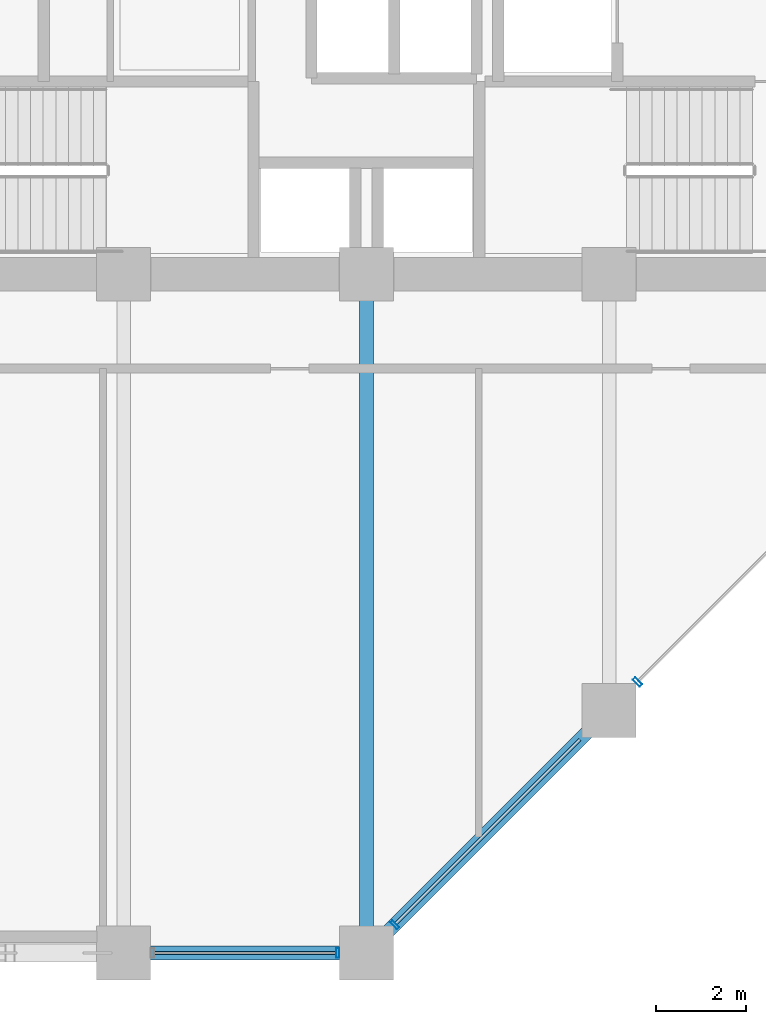
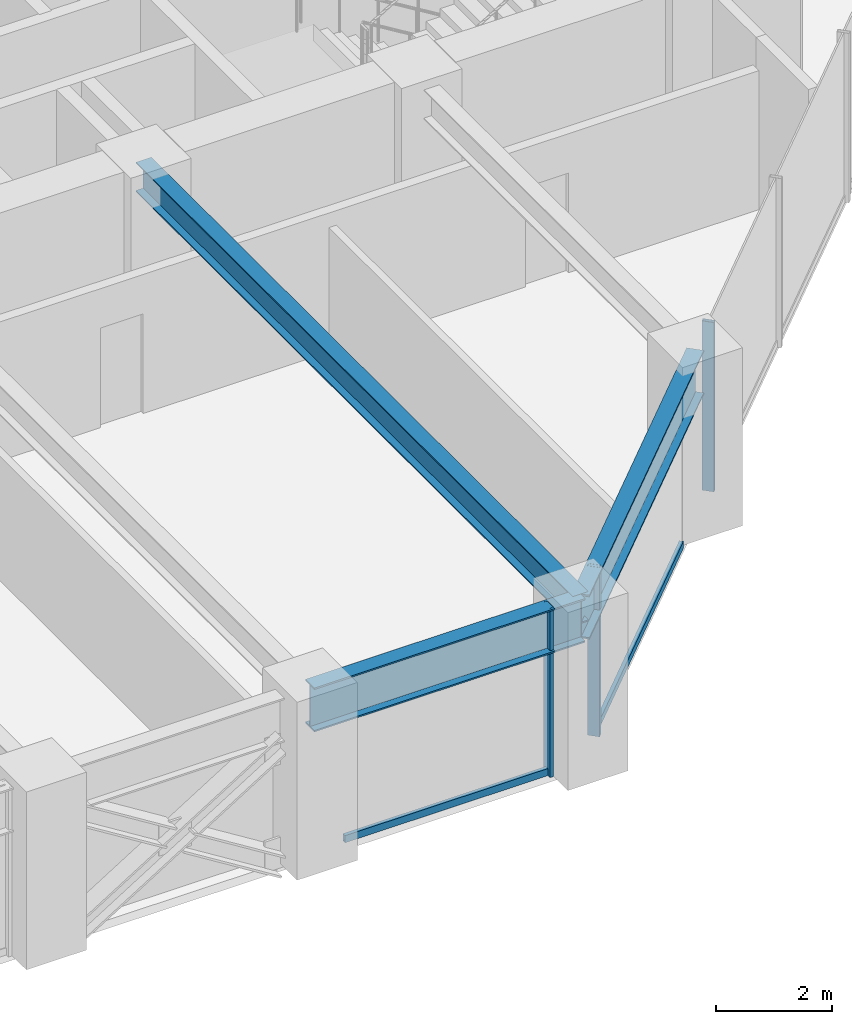
# One storey, part 6 of 26: 5 members, 3 beams, 2 elements without a shape of their own.
"""IFC4 building model written with IfcOpenShell, lengths in metres."""

from ifc_helpers import new_model, si_unit, direction, frame, origin, origin_2d, place, context, subcontext, project, spatial, hollow_rectangle, i_section, extrude, material, layer, layer_set, material_profile, profile_set, type_object, element, aggregate, save


model = new_model("IFC4")

# Units and contexts
model_context = context("Model", 3, precision=1e-05, world=origin(), true_north=direction((0.0, 1.0)))
body_context = subcontext(model_context, "Body", "Model", "MODEL_VIEW")
ifc_project = project(units=[si_unit("LENGTHUNIT", "METRE"), si_unit("AREAUNIT", "SQUARE_METRE"), si_unit("VOLUMEUNIT", "CUBIC_METRE"), si_unit("PLANEANGLEUNIT", "RADIAN"), si_unit("MASSUNIT", "GRAM", prefix="KILO")], contexts=[model_context])

# Site, building, storey
site_placement = place(None, origin())
site = spatial("IfcSite", under=ifc_project, at=site_placement, CompositionType="ELEMENT")
building_placement = place(site_placement, origin())
building = spatial("IfcBuilding", under=site, at=building_placement, Name="Surkhivell Harbour Commons", CompositionType="ELEMENT")
storey_placement = place(building_placement, frame((0.0, 0.0, 71.25)))
storey = spatial("IfcBuildingStorey", under=building, at=storey_placement, Name="L18", CompositionType="ELEMENT", Elevation=71.25)

# Beams
ifc_material_1 = material(Name="Steel S355", Category="steel")
ifc_material_profile_1 = material_profile(ifc_material_1, i_section(OverallWidth=0.306884765625, OverallDepth=0.6201171875, WebThickness=0.01416015625, FlangeThickness=0.023681640625, at=origin_2d()), Name="UB610x305x179")
ifc_profile_set_1 = profile_set([ifc_material_profile_1], Name="Steel S355")
beam_type_1 = type_object("IfcBeamType", Name="BM-GRD-610A", PredefinedType="BEAM", material=ifc_profile_set_1)
beam_1_placement = place(storey_placement, frame((0.0, -25.89990234375, 3.260009765625), z_axis=(0.0, 1.0, 0.0), x_axis=(-1.0, 0.0, 0.0)))
element("IfcBeam", 1, at=beam_1_placement, inside=storey, type_object=beam_type_1, Name="L18 Floor Girder (0.0,-25.9)", PredefinedType="BEAM", context=body_context, shape_type="SweptSolid", body=[
    extrude(i_section(OverallWidth=0.306884765625, OverallDepth=0.6201171875, WebThickness=0.01416015625, FlangeThickness=0.023681640625, at=origin_2d()), origin(), (0.0, 0.0, 1.0), 15.099853515625),
])
ifc_material_2 = material(Name="Steel S460", Category="steel")
ifc_material_profile_2 = material_profile(ifc_material_2, i_section(OverallWidth=0.30810546875, OverallDepth=0.927001953125, WebThickness=0.01953125, FlangeThickness=0.031982421875, at=origin_2d()), Name="UB914x305x289")
ifc_profile_set_2 = profile_set([ifc_material_profile_2], Name="Steel S460")
beam_type_2 = type_object("IfcBeamType", Name="BM-SPN-914B", PredefinedType="SPANDREL", material=ifc_profile_set_2)
beam_2_placement = place(storey_placement, frame((-5.39990234375, -25.89990234375, 3.1064453125), z_axis=(1.0, 0.0, 0.0), x_axis=(0.0, 1.0, 0.0)))
element("IfcBeam", 2, at=beam_2_placement, inside=storey, type_object=beam_type_2, Name="L18 Tube Spandrel (-5.4,-25.9)", PredefinedType="SPANDREL", context=body_context, shape_type="SweptSolid", body=[
    extrude(i_section(OverallWidth=0.30810546875, OverallDepth=0.927001953125, WebThickness=0.01953125, FlangeThickness=0.031982421875, at=origin_2d()), origin(), (0.0, 0.0, 1.0), 5.39990234375),
])
beam_3_placement = place(storey_placement, frame((0.0, -25.89990234375, 3.1064453125), z_axis=(0.707106781187, 0.707106781187, 0.0), x_axis=(-0.707106781187, 0.707106781187, 0.0)))
element("IfcBeam", 3, at=beam_3_placement, inside=storey, type_object=beam_type_2, Name="L18 Tube Spandrel (-0.0,-25.9)", PredefinedType="SPANDREL", context=body_context, shape_type="SweptSolid", body=[
    extrude(i_section(OverallWidth=0.30810546875, OverallDepth=0.927001953125, WebThickness=0.01953125, FlangeThickness=0.031982421875, at=origin_2d()), origin(), (0.0, 0.0, 1.0), 7.63671875),
])

# Curtain wall, member
ifc_material_3 = material(Name="Anodised pale-metal aluminium and insulated glazing", Category="aluminium")
ifc_layer = layer(ifc_material_3, 0.219970703125)
ifc_layer_set = layer_set([ifc_layer], Name="Anodised pale-metal aluminium and insulated glazing")
curtain_wall_type = type_object("IfcCurtainWallType", Name="CW-SYS-Z1", PredefinedType="NOTDEFINED", material=ifc_layer_set)
curtain_wall_1_placement = place(storey_placement, origin())
curtain_wall_1 = element("IfcCurtainWall", 4, at=curtain_wall_1_placement, inside=storey, type_object=curtain_wall_type, Name="L18 Curtain Wall CW-L18-E00S2", PredefinedType="NOTDEFINED")
ifc_material_4 = material(Name="Anodised pale-metal aluminium alloy 6063-T6", Category="aluminium")
ifc_material_profile_3 = material_profile(ifc_material_4, hollow_rectangle(XDim=0.074951171875, YDim=0.219970703125, WallThickness=0.00390625, at=origin_2d()), Name="ALU-MULL-75x220")
ifc_profile_set_3 = profile_set([ifc_material_profile_3], Name="Anodised pale-metal aluminium alloy 6063-T6")
member_type_1 = type_object("IfcMemberType", Name="CWM-220", PredefinedType="MULLION", material=ifc_profile_set_3)
member_1_placement = place(storey_placement, frame((-0.639404296875, -25.89990234375, 0.0), z_axis=(0.0, 0.0, 1.0), x_axis=(1.0, 0.0, 0.0)))
member_1 = element("IfcMember", 5, at=member_1_placement, type_object=member_type_1, Name="CW-Z1 mullion 2", PredefinedType="MULLION", context=body_context, shape_type="SweptSolid", body=[
    extrude(hollow_rectangle(XDim=0.074951171875, YDim=0.219970703125, WallThickness=0.00390625, at=origin_2d()), origin(), (0.0, 0.0, 1.0), 3.570068359375),
])

# Curtain wall, members
curtain_wall_2_placement = place(storey_placement, origin())
curtain_wall_2 = element("IfcCurtainWall", 6, at=curtain_wall_2_placement, inside=storey, type_object=curtain_wall_type, Name="L18 Curtain Wall CW-L18-E01", PredefinedType="NOTDEFINED")
member_2_placement = place(storey_placement, frame((0.628173828125, -25.271728515625, 0.0), z_axis=(0.0, 0.0, 1.0), x_axis=(0.707106781187, 0.707106781187, 0.0)))
member_2 = element("IfcMember", 7, at=member_2_placement, type_object=member_type_1, Name="CW-Z1 mullion 1", PredefinedType="MULLION", context=body_context, shape_type="SweptSolid", body=[
    extrude(hollow_rectangle(XDim=0.074951171875, YDim=0.219970703125, WallThickness=0.00390625, at=origin_2d()), origin(), (0.0, 0.0, 1.0), 3.570068359375),
])
member_3_placement = place(storey_placement, frame((6.0283203125, -19.871826171875, 0.0), z_axis=(0.0, 0.0, 1.0), x_axis=(0.707106781187, 0.707106781187, 0.0)))
member_3 = element("IfcMember", 8, at=member_3_placement, type_object=member_type_1, Name="CW-Z1 mullion 2", PredefinedType="MULLION", context=body_context, shape_type="SweptSolid", body=[
    extrude(hollow_rectangle(XDim=0.074951171875, YDim=0.219970703125, WallThickness=0.00390625, at=origin_2d()), origin(), (0.0, 0.0, 1.0), 3.570068359375),
])

# Member
ifc_material_profile_4 = material_profile(ifc_material_4, hollow_rectangle(XDim=0.074951171875, YDim=0.14990234375, WallThickness=0.00341796875, at=origin_2d()), Name="ALU-TRAN-75x150")
ifc_profile_set_4 = profile_set([ifc_material_profile_4], Name="Anodised pale-metal aluminium alloy 6063-T6")
member_type_2 = type_object("IfcMemberType", Name="CWT-150", PredefinedType="USERDEFINED", material=ifc_profile_set_4)
member_4_placement = place(storey_placement, frame((-4.722900390625, -25.89990234375, 0.074951171875), z_axis=(1.0, 0.0, 0.0), x_axis=(0.0, 1.0, 0.0)))
member_4 = element("IfcMember", 9, at=member_4_placement, type_object=member_type_2, Name="CW-Z1 transom 1.1", ObjectType="TRANSOM", PredefinedType="USERDEFINED", context=body_context, shape_type="SweptSolid", body=[
    extrude(hollow_rectangle(XDim=0.074951171875, YDim=0.14990234375, WallThickness=0.00341796875, at=origin_2d()), origin(), (0.0, 0.0, 1.0), 4.0458984375),
])

aggregate(curtain_wall_1, [member_1, member_4])

member_5_placement = place(storey_placement, frame((0.65478515625, -25.2451171875, 0.074951171875), z_axis=(0.707106781187, 0.707106781187, 0.0), x_axis=(-0.707106781187, 0.707106781187, 0.0)))
member_5 = element("IfcMember", 10, at=member_5_placement, type_object=member_type_2, Name="CW-Z1 transom 1.1", ObjectType="TRANSOM", PredefinedType="USERDEFINED", context=body_context, shape_type="SweptSolid", body=[
    extrude(hollow_rectangle(XDim=0.074951171875, YDim=0.14990234375, WallThickness=0.00341796875, at=origin_2d()), origin(), (0.0, 0.0, 1.0), 5.78466796875),
])

aggregate(curtain_wall_2, [member_2, member_5, member_3])

save(model, "model.ifc")
